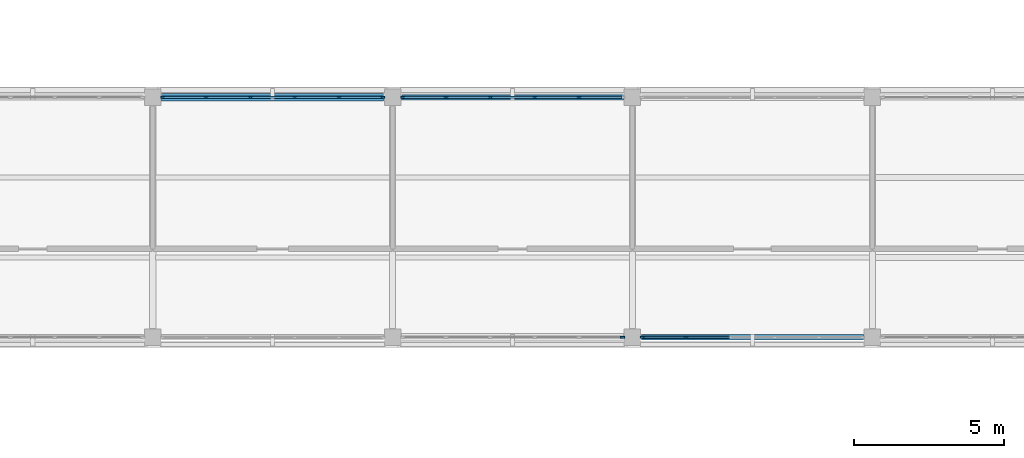
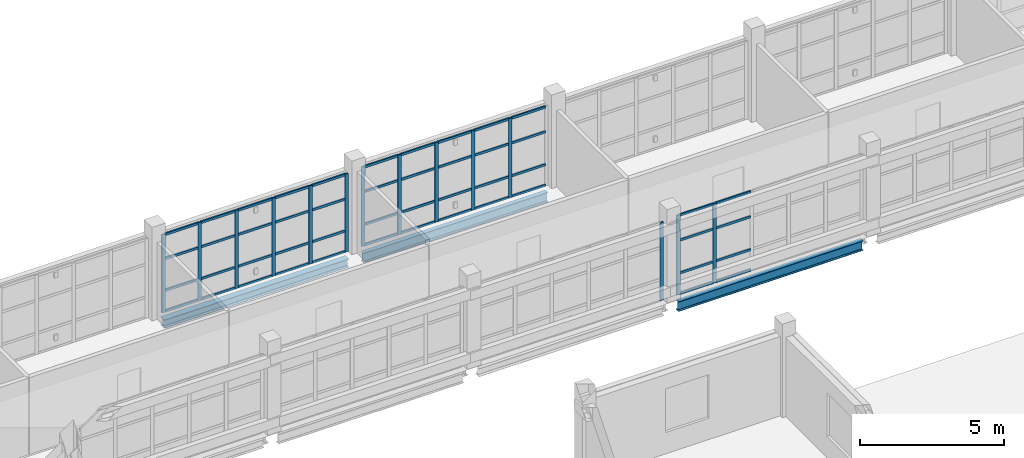
# One storey, part 44 of 107: 62 members, 3 beams, 4 elements without a shape of their own.
"""IFC4 building model written with IfcOpenShell, lengths in metres."""

from ifc_helpers import new_model, si_unit, derived_unit, direction, frame, origin, origin_2d, place, context, subcontext, project, spatial, rectangle, i_section, extrude, material, layer, layer_set, material_profile, profile_set, type_object, element, aggregate, save


model = new_model("IFC4")

# Units and contexts
model_context = context("Model", 3, precision=1e-05, world=origin(), true_north=direction((0.0, 1.0)))
body_context = subcontext(model_context, "Body", "Model", "MODEL_VIEW")
ifc_project = project(units=[si_unit("LENGTHUNIT", "METRE"), si_unit("AREAUNIT", "SQUARE_METRE"), si_unit("VOLUMEUNIT", "CUBIC_METRE"), si_unit("PLANEANGLEUNIT", "RADIAN"), si_unit("MASSUNIT", "GRAM", prefix="KILO"), derived_unit("THERMALTRANSMITTANCEUNIT", [(si_unit("MASSUNIT", "GRAM", prefix="KILO"), 1), (si_unit("TIMEUNIT", "SECOND"), -3), (si_unit("THERMODYNAMICTEMPERATUREUNIT", "KELVIN"), -1)])], contexts=[model_context])

# Site, building, storey
site_placement = place(None, origin())
site = spatial("IfcSite", under=ifc_project, at=site_placement, CompositionType="ELEMENT")
building_placement = place(site_placement, origin())
building = spatial("IfcBuilding", under=site, at=building_placement, Name="Veyamyaing Civic Hall", CompositionType="ELEMENT")
storey_placement = place(building_placement, frame((0.0, 0.0, 13.860107421875)))
storey = spatial("IfcBuildingStorey", under=building, at=storey_placement, Name="L03", CompositionType="ELEMENT", Elevation=13.860107421875)

# Beams
ifc_material_1 = material(Name="Steel ASTM A992", Category="steel")
ifc_material_profile_1 = material_profile(ifc_material_1, i_section(OverallWidth=0.179931640625, OverallDepth=0.4130859375, WebThickness=0.009765625, FlangeThickness=0.01611328125, FilletRadius=0.010009765625, at=origin_2d()), Name="W410X74")
ifc_profile_set_1 = profile_set([ifc_material_profile_1], Name="Steel ASTM A992")
beam_type_1 = type_object("IfcBeamType", Name="B-10", PredefinedType="SPANDREL", material=ifc_profile_set_1)
for number, where, z_axis, x_axis, name in (
    (1, (144.300048828125, 48.0, -0.461669921875), (1.0, 0.0, 0.0), (0.0, 1.0, 0.0), "Girder B-10 L03 Grid G 19-20"),
    (2, (136.300048828125, 56.0, -0.461669921875), (1.0, 0.0, 0.0), (0.0, 1.0, 0.0), "Girder B-10 L03 Grid H 18-19"),
):
    element("IfcBeam", number, at=place(storey_placement, frame(where, z_axis=z_axis, x_axis=x_axis)), inside=storey, type_object=beam_type_1, Name=name, PredefinedType="SPANDREL", context=body_context, shape_type="SweptSolid", body=[
        extrude(i_section(OverallWidth=0.179931640625, OverallDepth=0.4130859375, WebThickness=0.009765625, FlangeThickness=0.01611328125, FilletRadius=0.010009765625, at=origin_2d()), origin(), (0.0, 0.0, 1.0), 7.39990234375),
    ])
ifc_material_profile_2 = material_profile(ifc_material_1, i_section(OverallWidth=0.25390625, OverallDepth=0.35302734375, WebThickness=0.009521484375, FlangeThickness=0.016357421875, FilletRadius=0.011962890625, at=origin_2d()), Name="W360X91")
ifc_profile_set_2 = profile_set([ifc_material_profile_2], Name="Steel ASTM A992")
beam_type_2 = type_object("IfcBeamType", Name="B-20", PredefinedType="SPANDREL", material=ifc_profile_set_2)
beam_placement = place(storey_placement, frame((128.300048828125, 56.0, -0.431640625), z_axis=(1.0, 0.0, 0.0), x_axis=(0.0, 1.0, 0.0)))
element("IfcBeam", 3, at=beam_placement, inside=storey, type_object=beam_type_2, Name="Girder B-20 L03 Grid H 17-18", PredefinedType="SPANDREL", context=body_context, shape_type="SweptSolid", body=[
    extrude(i_section(OverallWidth=0.25390625, OverallDepth=0.35302734375, WebThickness=0.009521484375, FlangeThickness=0.016357421875, FilletRadius=0.011962890625, at=origin_2d()), origin(), (0.0, 0.0, 1.0), 7.39990234375),
])

# Curtain wall, members
ifc_material_2 = material(Name="Anodised aluminium 6063-T6", Category="aluminium")
ifc_layer = layer(ifc_material_2, 0.139892578125, Name="Anodised aluminium 6063-T6")
ifc_layer_set = layer_set([ifc_layer], Name="Anodised aluminium 6063-T6")
curtain_wall_type = type_object("IfcCurtainWallType", Name="CW-04", PredefinedType="NOTDEFINED", material=ifc_layer_set)
curtain_wall_1_placement = place(storey_placement, origin())
curtain_wall_1 = element("IfcCurtainWall", 4, at=curtain_wall_1_placement, inside=storey, type_object=curtain_wall_type, Name="Unitized curtain wall CW-04 L03 N 17.7", PredefinedType="NOTDEFINED")
ifc_material_profile_3 = material_profile(ifc_material_2, rectangle(XDim=0.06005859375, YDim=0.139892578125, at=origin_2d()), Name="ALU-MUL-60X140")
ifc_profile_set_3 = profile_set([ifc_material_profile_3], Name="Anodised aluminium 6063-T6")
member_type_1 = type_object("IfcMemberType", Name="CWM-03", PredefinedType="MULLION", material=ifc_profile_set_3)
member_1_placement = place(storey_placement, frame((128.3349609375, 56.0, 0.0), z_axis=(0.0, 0.0, 1.0), x_axis=(0.0, 1.0, 0.0)))
member_1 = element("IfcMember", 5, at=member_1_placement, type_object=member_type_1, Name="CW-04 mullion 1", PredefinedType="MULLION", context=body_context, shape_type="SweptSolid", body=[
    extrude(rectangle(XDim=0.06005859375, YDim=0.139892578125, at=origin_2d()), origin(), (0.0, 0.0, 1.0), 3.303955078125),
])
member_2_placement = place(storey_placement, frame((129.782958984375, 56.0, 0.0), z_axis=(0.0, 0.0, 1.0), x_axis=(0.0, 1.0, 0.0)))
member_2 = element("IfcMember", 6, at=member_2_placement, type_object=member_type_1, Name="CW-04 mullion 2", PredefinedType="MULLION", context=body_context, shape_type="SweptSolid", body=[
    extrude(rectangle(XDim=0.06005859375, YDim=0.139892578125, at=origin_2d()), origin(), (0.0, 0.0, 1.0), 3.303955078125),
])
member_3_placement = place(storey_placement, frame((131.260986328125, 56.0, 0.0), z_axis=(0.0, 0.0, 1.0), x_axis=(0.0, 1.0, 0.0)))
member_3 = element("IfcMember", 7, at=member_3_placement, type_object=member_type_1, Name="CW-04 mullion 3", PredefinedType="MULLION", context=body_context, shape_type="SweptSolid", body=[
    extrude(rectangle(XDim=0.06005859375, YDim=0.139892578125, at=origin_2d()), origin(), (0.0, 0.0, 1.0), 3.303955078125),
])
member_4_placement = place(storey_placement, frame((132.739013671875, 56.0, 0.0), z_axis=(0.0, 0.0, 1.0), x_axis=(0.0, 1.0, 0.0)))
member_4 = element("IfcMember", 8, at=member_4_placement, type_object=member_type_1, Name="CW-04 mullion 4", PredefinedType="MULLION", context=body_context, shape_type="SweptSolid", body=[
    extrude(rectangle(XDim=0.06005859375, YDim=0.139892578125, at=origin_2d()), origin(), (0.0, 0.0, 1.0), 3.303955078125),
])
member_5_placement = place(storey_placement, frame((134.217041015625, 56.0, 0.0), z_axis=(0.0, 0.0, 1.0), x_axis=(0.0, 1.0, 0.0)))
member_5 = element("IfcMember", 9, at=member_5_placement, type_object=member_type_1, Name="CW-04 mullion 5", PredefinedType="MULLION", context=body_context, shape_type="SweptSolid", body=[
    extrude(rectangle(XDim=0.06005859375, YDim=0.139892578125, at=origin_2d()), origin(), (0.0, 0.0, 1.0), 3.303955078125),
])
member_6_placement = place(storey_placement, frame((135.6650390625, 56.0, 0.0), z_axis=(0.0, 0.0, 1.0), x_axis=(0.0, 1.0, 0.0)))
member_6 = element("IfcMember", 10, at=member_6_placement, type_object=member_type_1, Name="CW-04 mullion 6", PredefinedType="MULLION", context=body_context, shape_type="SweptSolid", body=[
    extrude(rectangle(XDim=0.06005859375, YDim=0.139892578125, at=origin_2d()), origin(), (0.0, 0.0, 1.0), 3.303955078125),
])

# Curtain wall, member
curtain_wall_2_placement = place(storey_placement, origin())
curtain_wall_2 = element("IfcCurtainWall", 11, at=curtain_wall_2_placement, inside=storey, type_object=curtain_wall_type, Name="Unitized curtain wall CW-04 L03 S 18.7", PredefinedType="NOTDEFINED")
member_7_placement = place(storey_placement, frame((143.6650390625, 48.0, 0.0), z_axis=(0.0, 0.0, 1.0), x_axis=(0.0, 1.0, 0.0)))
member_7 = element("IfcMember", 12, at=member_7_placement, type_object=member_type_1, Name="CW-04 mullion 6", PredefinedType="MULLION", context=body_context, shape_type="SweptSolid", body=[
    extrude(rectangle(XDim=0.06005859375, YDim=0.139892578125, at=origin_2d()), origin(), (0.0, 0.0, 1.0), 3.303955078125),
])
aggregate(curtain_wall_2, [member_7])

# Curtain wall, members
curtain_wall_3_placement = place(storey_placement, origin())
curtain_wall_3 = element("IfcCurtainWall", 13, at=curtain_wall_3_placement, inside=storey, type_object=curtain_wall_type, Name="Unitized curtain wall CW-04 L03 N 18.7", PredefinedType="NOTDEFINED")
member_8_placement = place(storey_placement, frame((136.3349609375, 56.0, 0.0), z_axis=(0.0, 0.0, 1.0), x_axis=(0.0, 1.0, 0.0)))
member_8 = element("IfcMember", 14, at=member_8_placement, type_object=member_type_1, Name="CW-04 mullion 1", PredefinedType="MULLION", context=body_context, shape_type="SweptSolid", body=[
    extrude(rectangle(XDim=0.06005859375, YDim=0.139892578125, at=origin_2d()), origin(), (0.0, 0.0, 1.0), 3.366943359375),
])
member_9_placement = place(storey_placement, frame((137.782958984375, 56.0, 0.0), z_axis=(0.0, 0.0, 1.0), x_axis=(0.0, 1.0, 0.0)))
member_9 = element("IfcMember", 15, at=member_9_placement, type_object=member_type_1, Name="CW-04 mullion 2", PredefinedType="MULLION", context=body_context, shape_type="SweptSolid", body=[
    extrude(rectangle(XDim=0.06005859375, YDim=0.139892578125, at=origin_2d()), origin(), (0.0, 0.0, 1.0), 3.366943359375),
])
member_10_placement = place(storey_placement, frame((139.260986328125, 56.0, 0.0), z_axis=(0.0, 0.0, 1.0), x_axis=(0.0, 1.0, 0.0)))
member_10 = element("IfcMember", 16, at=member_10_placement, type_object=member_type_1, Name="CW-04 mullion 3", PredefinedType="MULLION", context=body_context, shape_type="SweptSolid", body=[
    extrude(rectangle(XDim=0.06005859375, YDim=0.139892578125, at=origin_2d()), origin(), (0.0, 0.0, 1.0), 3.366943359375),
])
member_11_placement = place(storey_placement, frame((140.739013671875, 56.0, 0.0), z_axis=(0.0, 0.0, 1.0), x_axis=(0.0, 1.0, 0.0)))
member_11 = element("IfcMember", 17, at=member_11_placement, type_object=member_type_1, Name="CW-04 mullion 4", PredefinedType="MULLION", context=body_context, shape_type="SweptSolid", body=[
    extrude(rectangle(XDim=0.06005859375, YDim=0.139892578125, at=origin_2d()), origin(), (0.0, 0.0, 1.0), 3.366943359375),
])
member_12_placement = place(storey_placement, frame((142.217041015625, 56.0, 0.0), z_axis=(0.0, 0.0, 1.0), x_axis=(0.0, 1.0, 0.0)))
member_12 = element("IfcMember", 18, at=member_12_placement, type_object=member_type_1, Name="CW-04 mullion 5", PredefinedType="MULLION", context=body_context, shape_type="SweptSolid", body=[
    extrude(rectangle(XDim=0.06005859375, YDim=0.139892578125, at=origin_2d()), origin(), (0.0, 0.0, 1.0), 3.366943359375),
])

curtain_wall_4_placement = place(storey_placement, origin())
curtain_wall_4 = element("IfcCurtainWall", 19, at=curtain_wall_4_placement, inside=storey, type_object=curtain_wall_type, Name="Unitized curtain wall CW-04 L03 S 19.7", PredefinedType="NOTDEFINED")
member_13_placement = place(storey_placement, frame((144.3349609375, 48.0, 0.0), z_axis=(0.0, 0.0, 1.0), x_axis=(0.0, 1.0, 0.0)))
member_13 = element("IfcMember", 20, at=member_13_placement, type_object=member_type_1, Name="CW-04 mullion 1", PredefinedType="MULLION", context=body_context, shape_type="SweptSolid", body=[
    extrude(rectangle(XDim=0.06005859375, YDim=0.139892578125, at=origin_2d()), origin(), (0.0, 0.0, 1.0), 3.366943359375),
])
member_14_placement = place(storey_placement, frame((145.782958984375, 48.0, 0.0), z_axis=(0.0, 0.0, 1.0), x_axis=(0.0, 1.0, 0.0)))
member_14 = element("IfcMember", 21, at=member_14_placement, type_object=member_type_1, Name="CW-04 mullion 2", PredefinedType="MULLION", context=body_context, shape_type="SweptSolid", body=[
    extrude(rectangle(XDim=0.06005859375, YDim=0.139892578125, at=origin_2d()), origin(), (0.0, 0.0, 1.0), 3.366943359375),
])

# Member
ifc_material_profile_4 = material_profile(ifc_material_2, rectangle(XDim=0.06005859375, YDim=0.10009765625, at=origin_2d()), Name="ALU-TRN-60X100")
ifc_profile_set_4 = profile_set([ifc_material_profile_4], Name="Anodised aluminium 6063-T6")
member_type_2 = type_object("IfcMemberType", Name="CWT-03", PredefinedType="USERDEFINED", material=ifc_profile_set_4)
member_15_placement = place(storey_placement, frame((128.364990234375, 56.0, 0.02978515625), z_axis=(1.0, 0.0, 0.0), x_axis=(0.0, 1.0, 0.0)))
member_15 = element("IfcMember", 22, at=member_15_placement, type_object=member_type_2, Name="CW-04 transom 1.1", ObjectType="TRANSOM", PredefinedType="USERDEFINED", context=body_context, shape_type="SweptSolid", body=[
    extrude(rectangle(XDim=0.06005859375, YDim=0.10009765625, at=origin_2d()), origin(), (0.0, 0.0, 1.0), 1.387939453125),
])

member_16_placement = place(storey_placement, frame((128.364990234375, 56.0, 0.89990234375), z_axis=(1.0, 0.0, 0.0), x_axis=(0.0, 1.0, 0.0)))
member_16 = element("IfcMember", 23, at=member_16_placement, type_object=member_type_2, Name="CW-04 transom 1.2", ObjectType="TRANSOM", PredefinedType="USERDEFINED", context=body_context, shape_type="SweptSolid", body=[
    extrude(rectangle(XDim=0.06005859375, YDim=0.10009765625, at=origin_2d()), origin(), (0.0, 0.0, 1.0), 1.387939453125),
])

member_17_placement = place(storey_placement, frame((128.364990234375, 56.0, 2.24658203125), z_axis=(1.0, 0.0, 0.0), x_axis=(0.0, 1.0, 0.0)))
member_17 = element("IfcMember", 24, at=member_17_placement, type_object=member_type_2, Name="CW-04 transom 1.3", ObjectType="TRANSOM", PredefinedType="USERDEFINED", context=body_context, shape_type="SweptSolid", body=[
    extrude(rectangle(XDim=0.06005859375, YDim=0.10009765625, at=origin_2d()), origin(), (0.0, 0.0, 1.0), 1.387939453125),
])

member_18_placement = place(storey_placement, frame((128.364990234375, 56.0, 3.27392578125), z_axis=(1.0, 0.0, 0.0), x_axis=(0.0, 1.0, 0.0)))
member_18 = element("IfcMember", 25, at=member_18_placement, type_object=member_type_2, Name="CW-04 transom 1.4", ObjectType="TRANSOM", PredefinedType="USERDEFINED", context=body_context, shape_type="SweptSolid", body=[
    extrude(rectangle(XDim=0.06005859375, YDim=0.10009765625, at=origin_2d()), origin(), (0.0, 0.0, 1.0), 1.387939453125),
])

member_19_placement = place(storey_placement, frame((129.81298828125, 56.0, 0.02978515625), z_axis=(1.0, 0.0, 0.0), x_axis=(0.0, 1.0, 0.0)))
member_19 = element("IfcMember", 26, at=member_19_placement, type_object=member_type_2, Name="CW-04 transom 2.1", ObjectType="TRANSOM", PredefinedType="USERDEFINED", context=body_context, shape_type="SweptSolid", body=[
    extrude(rectangle(XDim=0.06005859375, YDim=0.10009765625, at=origin_2d()), origin(), (0.0, 0.0, 1.0), 1.41796875),
])

member_20_placement = place(storey_placement, frame((129.81298828125, 56.0, 0.89990234375), z_axis=(1.0, 0.0, 0.0), x_axis=(0.0, 1.0, 0.0)))
member_20 = element("IfcMember", 27, at=member_20_placement, type_object=member_type_2, Name="CW-04 transom 2.2", ObjectType="TRANSOM", PredefinedType="USERDEFINED", context=body_context, shape_type="SweptSolid", body=[
    extrude(rectangle(XDim=0.06005859375, YDim=0.10009765625, at=origin_2d()), origin(), (0.0, 0.0, 1.0), 1.41796875),
])

member_21_placement = place(storey_placement, frame((129.81298828125, 56.0, 2.24658203125), z_axis=(1.0, 0.0, 0.0), x_axis=(0.0, 1.0, 0.0)))
member_21 = element("IfcMember", 28, at=member_21_placement, type_object=member_type_2, Name="CW-04 transom 2.3", ObjectType="TRANSOM", PredefinedType="USERDEFINED", context=body_context, shape_type="SweptSolid", body=[
    extrude(rectangle(XDim=0.06005859375, YDim=0.10009765625, at=origin_2d()), origin(), (0.0, 0.0, 1.0), 1.41796875),
])

member_22_placement = place(storey_placement, frame((129.81298828125, 56.0, 3.27392578125), z_axis=(1.0, 0.0, 0.0), x_axis=(0.0, 1.0, 0.0)))
member_22 = element("IfcMember", 29, at=member_22_placement, type_object=member_type_2, Name="CW-04 transom 2.4", ObjectType="TRANSOM", PredefinedType="USERDEFINED", context=body_context, shape_type="SweptSolid", body=[
    extrude(rectangle(XDim=0.06005859375, YDim=0.10009765625, at=origin_2d()), origin(), (0.0, 0.0, 1.0), 1.41796875),
])

member_23_placement = place(storey_placement, frame((131.291015625, 56.0, 0.02978515625), z_axis=(1.0, 0.0, 0.0), x_axis=(0.0, 1.0, 0.0)))
member_23 = element("IfcMember", 30, at=member_23_placement, type_object=member_type_2, Name="CW-04 transom 3.1", ObjectType="TRANSOM", PredefinedType="USERDEFINED", context=body_context, shape_type="SweptSolid", body=[
    extrude(rectangle(XDim=0.06005859375, YDim=0.10009765625, at=origin_2d()), origin(), (0.0, 0.0, 1.0), 1.41796875),
])

member_24_placement = place(storey_placement, frame((131.291015625, 56.0, 0.89990234375), z_axis=(1.0, 0.0, 0.0), x_axis=(0.0, 1.0, 0.0)))
member_24 = element("IfcMember", 31, at=member_24_placement, type_object=member_type_2, Name="CW-04 transom 3.2", ObjectType="TRANSOM", PredefinedType="USERDEFINED", context=body_context, shape_type="SweptSolid", body=[
    extrude(rectangle(XDim=0.06005859375, YDim=0.10009765625, at=origin_2d()), origin(), (0.0, 0.0, 1.0), 1.41796875),
])

member_25_placement = place(storey_placement, frame((131.291015625, 56.0, 2.24658203125), z_axis=(1.0, 0.0, 0.0), x_axis=(0.0, 1.0, 0.0)))
member_25 = element("IfcMember", 32, at=member_25_placement, type_object=member_type_2, Name="CW-04 transom 3.3", ObjectType="TRANSOM", PredefinedType="USERDEFINED", context=body_context, shape_type="SweptSolid", body=[
    extrude(rectangle(XDim=0.06005859375, YDim=0.10009765625, at=origin_2d()), origin(), (0.0, 0.0, 1.0), 1.41796875),
])

member_26_placement = place(storey_placement, frame((131.291015625, 56.0, 3.27392578125), z_axis=(1.0, 0.0, 0.0), x_axis=(0.0, 1.0, 0.0)))
member_26 = element("IfcMember", 33, at=member_26_placement, type_object=member_type_2, Name="CW-04 transom 3.4", ObjectType="TRANSOM", PredefinedType="USERDEFINED", context=body_context, shape_type="SweptSolid", body=[
    extrude(rectangle(XDim=0.06005859375, YDim=0.10009765625, at=origin_2d()), origin(), (0.0, 0.0, 1.0), 1.41796875),
])

member_27_placement = place(storey_placement, frame((132.76904296875, 56.0, 0.02978515625), z_axis=(1.0, 0.0, 0.0), x_axis=(0.0, 1.0, 0.0)))
member_27 = element("IfcMember", 34, at=member_27_placement, type_object=member_type_2, Name="CW-04 transom 4.1", ObjectType="TRANSOM", PredefinedType="USERDEFINED", context=body_context, shape_type="SweptSolid", body=[
    extrude(rectangle(XDim=0.06005859375, YDim=0.10009765625, at=origin_2d()), origin(), (0.0, 0.0, 1.0), 1.41796875),
])

member_28_placement = place(storey_placement, frame((132.76904296875, 56.0, 0.89990234375), z_axis=(1.0, 0.0, 0.0), x_axis=(0.0, 1.0, 0.0)))
member_28 = element("IfcMember", 35, at=member_28_placement, type_object=member_type_2, Name="CW-04 transom 4.2", ObjectType="TRANSOM", PredefinedType="USERDEFINED", context=body_context, shape_type="SweptSolid", body=[
    extrude(rectangle(XDim=0.06005859375, YDim=0.10009765625, at=origin_2d()), origin(), (0.0, 0.0, 1.0), 1.41796875),
])

member_29_placement = place(storey_placement, frame((132.76904296875, 56.0, 2.24658203125), z_axis=(1.0, 0.0, 0.0), x_axis=(0.0, 1.0, 0.0)))
member_29 = element("IfcMember", 36, at=member_29_placement, type_object=member_type_2, Name="CW-04 transom 4.3", ObjectType="TRANSOM", PredefinedType="USERDEFINED", context=body_context, shape_type="SweptSolid", body=[
    extrude(rectangle(XDim=0.06005859375, YDim=0.10009765625, at=origin_2d()), origin(), (0.0, 0.0, 1.0), 1.41796875),
])

member_30_placement = place(storey_placement, frame((132.76904296875, 56.0, 3.27392578125), z_axis=(1.0, 0.0, 0.0), x_axis=(0.0, 1.0, 0.0)))
member_30 = element("IfcMember", 37, at=member_30_placement, type_object=member_type_2, Name="CW-04 transom 4.4", ObjectType="TRANSOM", PredefinedType="USERDEFINED", context=body_context, shape_type="SweptSolid", body=[
    extrude(rectangle(XDim=0.06005859375, YDim=0.10009765625, at=origin_2d()), origin(), (0.0, 0.0, 1.0), 1.41796875),
])

member_31_placement = place(storey_placement, frame((134.2470703125, 56.0, 0.02978515625), z_axis=(1.0, 0.0, 0.0), x_axis=(0.0, 1.0, 0.0)))
member_31 = element("IfcMember", 38, at=member_31_placement, type_object=member_type_2, Name="CW-04 transom 5.1", ObjectType="TRANSOM", PredefinedType="USERDEFINED", context=body_context, shape_type="SweptSolid", body=[
    extrude(rectangle(XDim=0.06005859375, YDim=0.10009765625, at=origin_2d()), origin(), (0.0, 0.0, 1.0), 1.387939453125),
])

member_32_placement = place(storey_placement, frame((134.2470703125, 56.0, 0.89990234375), z_axis=(1.0, 0.0, 0.0), x_axis=(0.0, 1.0, 0.0)))
member_32 = element("IfcMember", 39, at=member_32_placement, type_object=member_type_2, Name="CW-04 transom 5.2", ObjectType="TRANSOM", PredefinedType="USERDEFINED", context=body_context, shape_type="SweptSolid", body=[
    extrude(rectangle(XDim=0.06005859375, YDim=0.10009765625, at=origin_2d()), origin(), (0.0, 0.0, 1.0), 1.387939453125),
])

member_33_placement = place(storey_placement, frame((134.2470703125, 56.0, 2.24658203125), z_axis=(1.0, 0.0, 0.0), x_axis=(0.0, 1.0, 0.0)))
member_33 = element("IfcMember", 40, at=member_33_placement, type_object=member_type_2, Name="CW-04 transom 5.3", ObjectType="TRANSOM", PredefinedType="USERDEFINED", context=body_context, shape_type="SweptSolid", body=[
    extrude(rectangle(XDim=0.06005859375, YDim=0.10009765625, at=origin_2d()), origin(), (0.0, 0.0, 1.0), 1.387939453125),
])

member_34_placement = place(storey_placement, frame((134.2470703125, 56.0, 3.27392578125), z_axis=(1.0, 0.0, 0.0), x_axis=(0.0, 1.0, 0.0)))
member_34 = element("IfcMember", 41, at=member_34_placement, type_object=member_type_2, Name="CW-04 transom 5.4", ObjectType="TRANSOM", PredefinedType="USERDEFINED", context=body_context, shape_type="SweptSolid", body=[
    extrude(rectangle(XDim=0.06005859375, YDim=0.10009765625, at=origin_2d()), origin(), (0.0, 0.0, 1.0), 1.387939453125),
])

aggregate(curtain_wall_1, [member_1, member_2, member_3, member_4, member_5, member_6, member_15, member_16, member_17, member_18, member_19, member_20, member_21, member_22, member_23, member_24, member_25, member_26, member_27, member_28, member_29, member_30, member_31, member_32, member_33, member_34])

member_35_placement = place(storey_placement, frame((136.364990234375, 56.0, 0.02978515625), z_axis=(1.0, 0.0, 0.0), x_axis=(0.0, 1.0, 0.0)))
member_35 = element("IfcMember", 42, at=member_35_placement, type_object=member_type_2, Name="CW-04 transom 1.1", ObjectType="TRANSOM", PredefinedType="USERDEFINED", context=body_context, shape_type="SweptSolid", body=[
    extrude(rectangle(XDim=0.06005859375, YDim=0.10009765625, at=origin_2d()), origin(), (0.0, 0.0, 1.0), 1.387939453125),
])

member_36_placement = place(storey_placement, frame((136.364990234375, 56.0, 0.89990234375), z_axis=(1.0, 0.0, 0.0), x_axis=(0.0, 1.0, 0.0)))
member_36 = element("IfcMember", 43, at=member_36_placement, type_object=member_type_2, Name="CW-04 transom 1.2", ObjectType="TRANSOM", PredefinedType="USERDEFINED", context=body_context, shape_type="SweptSolid", body=[
    extrude(rectangle(XDim=0.06005859375, YDim=0.10009765625, at=origin_2d()), origin(), (0.0, 0.0, 1.0), 1.387939453125),
])

member_37_placement = place(storey_placement, frame((136.364990234375, 56.0, 2.28955078125), z_axis=(1.0, 0.0, 0.0), x_axis=(0.0, 1.0, 0.0)))
member_37 = element("IfcMember", 44, at=member_37_placement, type_object=member_type_2, Name="CW-04 transom 1.3", ObjectType="TRANSOM", PredefinedType="USERDEFINED", context=body_context, shape_type="SweptSolid", body=[
    extrude(rectangle(XDim=0.06005859375, YDim=0.10009765625, at=origin_2d()), origin(), (0.0, 0.0, 1.0), 1.387939453125),
])

member_38_placement = place(storey_placement, frame((136.364990234375, 56.0, 3.3369140625), z_axis=(1.0, 0.0, 0.0), x_axis=(0.0, 1.0, 0.0)))
member_38 = element("IfcMember", 45, at=member_38_placement, type_object=member_type_2, Name="CW-04 transom 1.4", ObjectType="TRANSOM", PredefinedType="USERDEFINED", context=body_context, shape_type="SweptSolid", body=[
    extrude(rectangle(XDim=0.06005859375, YDim=0.10009765625, at=origin_2d()), origin(), (0.0, 0.0, 1.0), 1.387939453125),
])

member_39_placement = place(storey_placement, frame((137.81298828125, 56.0, 0.02978515625), z_axis=(1.0, 0.0, 0.0), x_axis=(0.0, 1.0, 0.0)))
member_39 = element("IfcMember", 46, at=member_39_placement, type_object=member_type_2, Name="CW-04 transom 2.1", ObjectType="TRANSOM", PredefinedType="USERDEFINED", context=body_context, shape_type="SweptSolid", body=[
    extrude(rectangle(XDim=0.06005859375, YDim=0.10009765625, at=origin_2d()), origin(), (0.0, 0.0, 1.0), 1.41796875),
])

member_40_placement = place(storey_placement, frame((137.81298828125, 56.0, 0.89990234375), z_axis=(1.0, 0.0, 0.0), x_axis=(0.0, 1.0, 0.0)))
member_40 = element("IfcMember", 47, at=member_40_placement, type_object=member_type_2, Name="CW-04 transom 2.2", ObjectType="TRANSOM", PredefinedType="USERDEFINED", context=body_context, shape_type="SweptSolid", body=[
    extrude(rectangle(XDim=0.06005859375, YDim=0.10009765625, at=origin_2d()), origin(), (0.0, 0.0, 1.0), 1.41796875),
])

member_41_placement = place(storey_placement, frame((137.81298828125, 56.0, 2.28955078125), z_axis=(1.0, 0.0, 0.0), x_axis=(0.0, 1.0, 0.0)))
member_41 = element("IfcMember", 48, at=member_41_placement, type_object=member_type_2, Name="CW-04 transom 2.3", ObjectType="TRANSOM", PredefinedType="USERDEFINED", context=body_context, shape_type="SweptSolid", body=[
    extrude(rectangle(XDim=0.06005859375, YDim=0.10009765625, at=origin_2d()), origin(), (0.0, 0.0, 1.0), 1.41796875),
])

member_42_placement = place(storey_placement, frame((137.81298828125, 56.0, 3.3369140625), z_axis=(1.0, 0.0, 0.0), x_axis=(0.0, 1.0, 0.0)))
member_42 = element("IfcMember", 49, at=member_42_placement, type_object=member_type_2, Name="CW-04 transom 2.4", ObjectType="TRANSOM", PredefinedType="USERDEFINED", context=body_context, shape_type="SweptSolid", body=[
    extrude(rectangle(XDim=0.06005859375, YDim=0.10009765625, at=origin_2d()), origin(), (0.0, 0.0, 1.0), 1.41796875),
])

member_43_placement = place(storey_placement, frame((139.291015625, 56.0, 0.02978515625), z_axis=(1.0, 0.0, 0.0), x_axis=(0.0, 1.0, 0.0)))
member_43 = element("IfcMember", 50, at=member_43_placement, type_object=member_type_2, Name="CW-04 transom 3.1", ObjectType="TRANSOM", PredefinedType="USERDEFINED", context=body_context, shape_type="SweptSolid", body=[
    extrude(rectangle(XDim=0.06005859375, YDim=0.10009765625, at=origin_2d()), origin(), (0.0, 0.0, 1.0), 1.41796875),
])

member_44_placement = place(storey_placement, frame((139.291015625, 56.0, 0.89990234375), z_axis=(1.0, 0.0, 0.0), x_axis=(0.0, 1.0, 0.0)))
member_44 = element("IfcMember", 51, at=member_44_placement, type_object=member_type_2, Name="CW-04 transom 3.2", ObjectType="TRANSOM", PredefinedType="USERDEFINED", context=body_context, shape_type="SweptSolid", body=[
    extrude(rectangle(XDim=0.06005859375, YDim=0.10009765625, at=origin_2d()), origin(), (0.0, 0.0, 1.0), 1.41796875),
])

member_45_placement = place(storey_placement, frame((139.291015625, 56.0, 2.28955078125), z_axis=(1.0, 0.0, 0.0), x_axis=(0.0, 1.0, 0.0)))
member_45 = element("IfcMember", 52, at=member_45_placement, type_object=member_type_2, Name="CW-04 transom 3.3", ObjectType="TRANSOM", PredefinedType="USERDEFINED", context=body_context, shape_type="SweptSolid", body=[
    extrude(rectangle(XDim=0.06005859375, YDim=0.10009765625, at=origin_2d()), origin(), (0.0, 0.0, 1.0), 1.41796875),
])

member_46_placement = place(storey_placement, frame((139.291015625, 56.0, 3.3369140625), z_axis=(1.0, 0.0, 0.0), x_axis=(0.0, 1.0, 0.0)))
member_46 = element("IfcMember", 53, at=member_46_placement, type_object=member_type_2, Name="CW-04 transom 3.4", ObjectType="TRANSOM", PredefinedType="USERDEFINED", context=body_context, shape_type="SweptSolid", body=[
    extrude(rectangle(XDim=0.06005859375, YDim=0.10009765625, at=origin_2d()), origin(), (0.0, 0.0, 1.0), 1.41796875),
])

member_47_placement = place(storey_placement, frame((140.76904296875, 56.0, 0.02978515625), z_axis=(1.0, 0.0, 0.0), x_axis=(0.0, 1.0, 0.0)))
member_47 = element("IfcMember", 54, at=member_47_placement, type_object=member_type_2, Name="CW-04 transom 4.1", ObjectType="TRANSOM", PredefinedType="USERDEFINED", context=body_context, shape_type="SweptSolid", body=[
    extrude(rectangle(XDim=0.06005859375, YDim=0.10009765625, at=origin_2d()), origin(), (0.0, 0.0, 1.0), 1.41796875),
])

member_48_placement = place(storey_placement, frame((140.76904296875, 56.0, 0.89990234375), z_axis=(1.0, 0.0, 0.0), x_axis=(0.0, 1.0, 0.0)))
member_48 = element("IfcMember", 55, at=member_48_placement, type_object=member_type_2, Name="CW-04 transom 4.2", ObjectType="TRANSOM", PredefinedType="USERDEFINED", context=body_context, shape_type="SweptSolid", body=[
    extrude(rectangle(XDim=0.06005859375, YDim=0.10009765625, at=origin_2d()), origin(), (0.0, 0.0, 1.0), 1.41796875),
])

member_49_placement = place(storey_placement, frame((140.76904296875, 56.0, 2.28955078125), z_axis=(1.0, 0.0, 0.0), x_axis=(0.0, 1.0, 0.0)))
member_49 = element("IfcMember", 56, at=member_49_placement, type_object=member_type_2, Name="CW-04 transom 4.3", ObjectType="TRANSOM", PredefinedType="USERDEFINED", context=body_context, shape_type="SweptSolid", body=[
    extrude(rectangle(XDim=0.06005859375, YDim=0.10009765625, at=origin_2d()), origin(), (0.0, 0.0, 1.0), 1.41796875),
])

member_50_placement = place(storey_placement, frame((140.76904296875, 56.0, 3.3369140625), z_axis=(1.0, 0.0, 0.0), x_axis=(0.0, 1.0, 0.0)))
member_50 = element("IfcMember", 57, at=member_50_placement, type_object=member_type_2, Name="CW-04 transom 4.4", ObjectType="TRANSOM", PredefinedType="USERDEFINED", context=body_context, shape_type="SweptSolid", body=[
    extrude(rectangle(XDim=0.06005859375, YDim=0.10009765625, at=origin_2d()), origin(), (0.0, 0.0, 1.0), 1.41796875),
])

member_51_placement = place(storey_placement, frame((142.2470703125, 56.0, 0.02978515625), z_axis=(1.0, 0.0, 0.0), x_axis=(0.0, 1.0, 0.0)))
member_51 = element("IfcMember", 58, at=member_51_placement, type_object=member_type_2, Name="CW-04 transom 5.1", ObjectType="TRANSOM", PredefinedType="USERDEFINED", context=body_context, shape_type="SweptSolid", body=[
    extrude(rectangle(XDim=0.06005859375, YDim=0.10009765625, at=origin_2d()), origin(), (0.0, 0.0, 1.0), 1.387939453125),
])

member_52_placement = place(storey_placement, frame((142.2470703125, 56.0, 0.89990234375), z_axis=(1.0, 0.0, 0.0), x_axis=(0.0, 1.0, 0.0)))
member_52 = element("IfcMember", 59, at=member_52_placement, type_object=member_type_2, Name="CW-04 transom 5.2", ObjectType="TRANSOM", PredefinedType="USERDEFINED", context=body_context, shape_type="SweptSolid", body=[
    extrude(rectangle(XDim=0.06005859375, YDim=0.10009765625, at=origin_2d()), origin(), (0.0, 0.0, 1.0), 1.387939453125),
])

member_53_placement = place(storey_placement, frame((142.2470703125, 56.0, 2.28955078125), z_axis=(1.0, 0.0, 0.0), x_axis=(0.0, 1.0, 0.0)))
member_53 = element("IfcMember", 60, at=member_53_placement, type_object=member_type_2, Name="CW-04 transom 5.3", ObjectType="TRANSOM", PredefinedType="USERDEFINED", context=body_context, shape_type="SweptSolid", body=[
    extrude(rectangle(XDim=0.06005859375, YDim=0.10009765625, at=origin_2d()), origin(), (0.0, 0.0, 1.0), 1.387939453125),
])

member_54_placement = place(storey_placement, frame((142.2470703125, 56.0, 3.3369140625), z_axis=(1.0, 0.0, 0.0), x_axis=(0.0, 1.0, 0.0)))
member_54 = element("IfcMember", 61, at=member_54_placement, type_object=member_type_2, Name="CW-04 transom 5.4", ObjectType="TRANSOM", PredefinedType="USERDEFINED", context=body_context, shape_type="SweptSolid", body=[
    extrude(rectangle(XDim=0.06005859375, YDim=0.10009765625, at=origin_2d()), origin(), (0.0, 0.0, 1.0), 1.387939453125),
])

aggregate(curtain_wall_3, [member_8, member_9, member_10, member_11, member_12, member_35, member_36, member_37, member_38, member_39, member_40, member_41, member_42, member_43, member_44, member_45, member_46, member_47, member_48, member_49, member_50, member_51, member_52, member_53, member_54])

member_55_placement = place(storey_placement, frame((144.364990234375, 48.0, 0.02978515625), z_axis=(1.0, 0.0, 0.0), x_axis=(0.0, 1.0, 0.0)))
member_55 = element("IfcMember", 62, at=member_55_placement, type_object=member_type_2, Name="CW-04 transom 1.1", ObjectType="TRANSOM", PredefinedType="USERDEFINED", context=body_context, shape_type="SweptSolid", body=[
    extrude(rectangle(XDim=0.06005859375, YDim=0.10009765625, at=origin_2d()), origin(), (0.0, 0.0, 1.0), 1.387939453125),
])

member_56_placement = place(storey_placement, frame((144.364990234375, 48.0, 0.89990234375), z_axis=(1.0, 0.0, 0.0), x_axis=(0.0, 1.0, 0.0)))
member_56 = element("IfcMember", 63, at=member_56_placement, type_object=member_type_2, Name="CW-04 transom 1.2", ObjectType="TRANSOM", PredefinedType="USERDEFINED", context=body_context, shape_type="SweptSolid", body=[
    extrude(rectangle(XDim=0.06005859375, YDim=0.10009765625, at=origin_2d()), origin(), (0.0, 0.0, 1.0), 1.387939453125),
])

member_57_placement = place(storey_placement, frame((144.364990234375, 48.0, 2.28955078125), z_axis=(1.0, 0.0, 0.0), x_axis=(0.0, 1.0, 0.0)))
member_57 = element("IfcMember", 64, at=member_57_placement, type_object=member_type_2, Name="CW-04 transom 1.3", ObjectType="TRANSOM", PredefinedType="USERDEFINED", context=body_context, shape_type="SweptSolid", body=[
    extrude(rectangle(XDim=0.06005859375, YDim=0.10009765625, at=origin_2d()), origin(), (0.0, 0.0, 1.0), 1.387939453125),
])

member_58_placement = place(storey_placement, frame((144.364990234375, 48.0, 3.3369140625), z_axis=(1.0, 0.0, 0.0), x_axis=(0.0, 1.0, 0.0)))
member_58 = element("IfcMember", 65, at=member_58_placement, type_object=member_type_2, Name="CW-04 transom 1.4", ObjectType="TRANSOM", PredefinedType="USERDEFINED", context=body_context, shape_type="SweptSolid", body=[
    extrude(rectangle(XDim=0.06005859375, YDim=0.10009765625, at=origin_2d()), origin(), (0.0, 0.0, 1.0), 1.387939453125),
])

member_59_placement = place(storey_placement, frame((145.81298828125, 48.0, 0.02978515625), z_axis=(1.0, 0.0, 0.0), x_axis=(0.0, 1.0, 0.0)))
member_59 = element("IfcMember", 66, at=member_59_placement, type_object=member_type_2, Name="CW-04 transom 2.1", ObjectType="TRANSOM", PredefinedType="USERDEFINED", context=body_context, shape_type="SweptSolid", body=[
    extrude(rectangle(XDim=0.06005859375, YDim=0.10009765625, at=origin_2d()), origin(), (0.0, 0.0, 1.0), 1.41796875),
])

member_60_placement = place(storey_placement, frame((145.81298828125, 48.0, 0.89990234375), z_axis=(1.0, 0.0, 0.0), x_axis=(0.0, 1.0, 0.0)))
member_60 = element("IfcMember", 67, at=member_60_placement, type_object=member_type_2, Name="CW-04 transom 2.2", ObjectType="TRANSOM", PredefinedType="USERDEFINED", context=body_context, shape_type="SweptSolid", body=[
    extrude(rectangle(XDim=0.06005859375, YDim=0.10009765625, at=origin_2d()), origin(), (0.0, 0.0, 1.0), 1.41796875),
])

member_61_placement = place(storey_placement, frame((145.81298828125, 48.0, 2.28955078125), z_axis=(1.0, 0.0, 0.0), x_axis=(0.0, 1.0, 0.0)))
member_61 = element("IfcMember", 68, at=member_61_placement, type_object=member_type_2, Name="CW-04 transom 2.3", ObjectType="TRANSOM", PredefinedType="USERDEFINED", context=body_context, shape_type="SweptSolid", body=[
    extrude(rectangle(XDim=0.06005859375, YDim=0.10009765625, at=origin_2d()), origin(), (0.0, 0.0, 1.0), 1.41796875),
])

member_62_placement = place(storey_placement, frame((145.81298828125, 48.0, 3.3369140625), z_axis=(1.0, 0.0, 0.0), x_axis=(0.0, 1.0, 0.0)))
member_62 = element("IfcMember", 69, at=member_62_placement, type_object=member_type_2, Name="CW-04 transom 2.4", ObjectType="TRANSOM", PredefinedType="USERDEFINED", context=body_context, shape_type="SweptSolid", body=[
    extrude(rectangle(XDim=0.06005859375, YDim=0.10009765625, at=origin_2d()), origin(), (0.0, 0.0, 1.0), 1.41796875),
])

aggregate(curtain_wall_4, [member_13, member_14, member_55, member_56, member_57, member_58, member_59, member_60, member_61, member_62])

save(model, "model.ifc")
